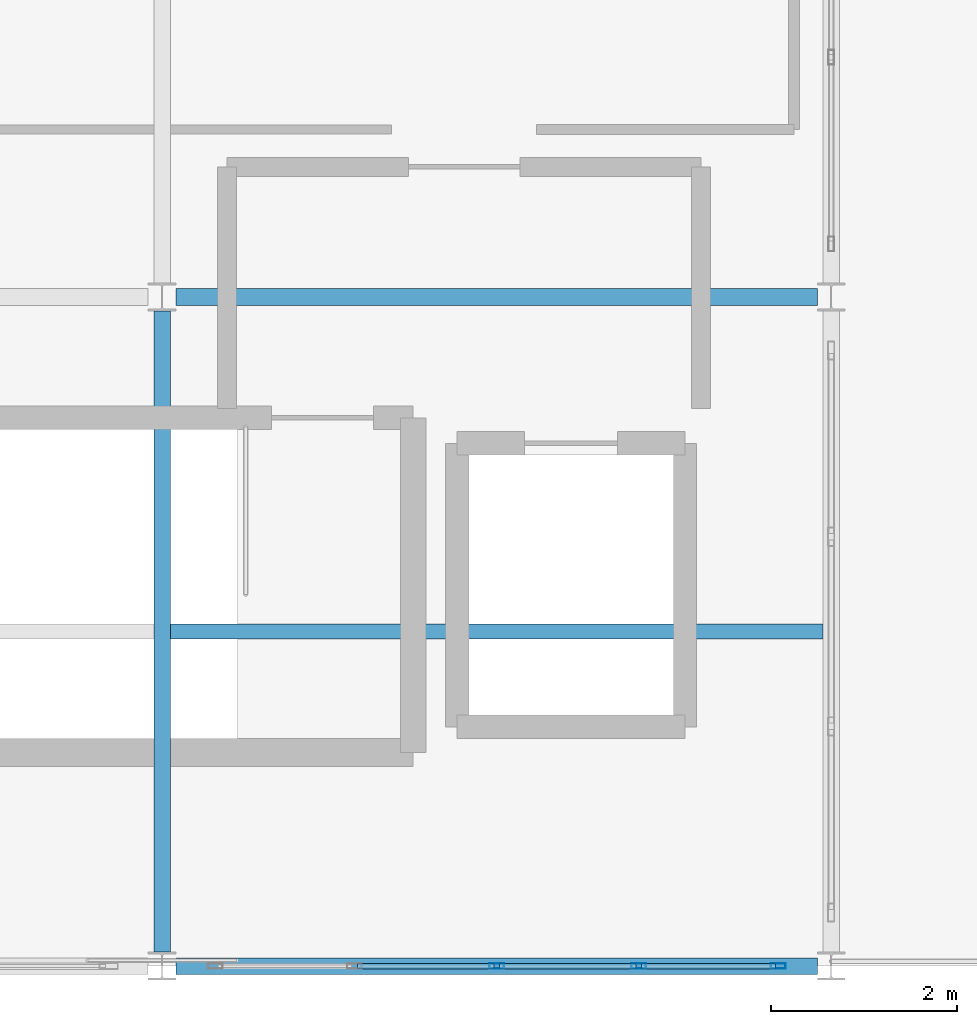
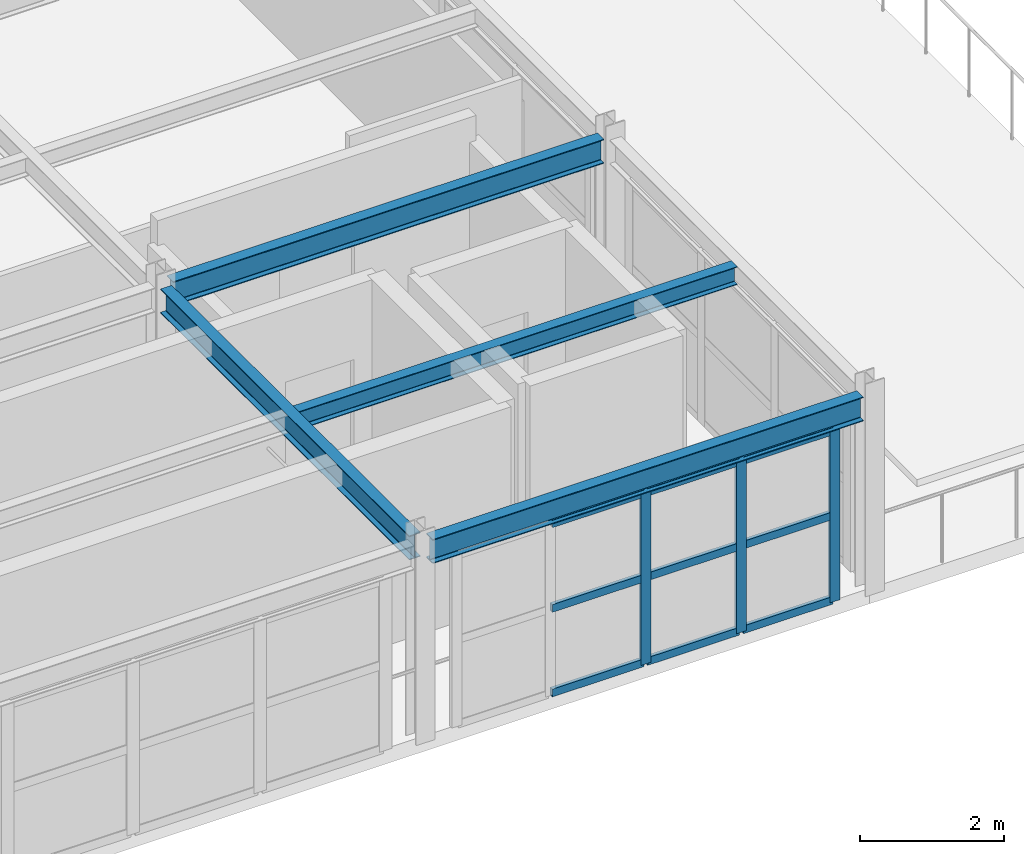
# One storey, part 42 of 73: 12 members, 4 beams, 1 element without a shape of its own.
"""IFC4 building model written with IfcOpenShell, lengths in metres."""

from ifc_helpers import new_model, si_unit, direction, frame, origin, origin_2d, place, context, subcontext, project, spatial, hollow_rectangle, i_section, extrude, material, layer, layer_set, material_profile, profile_set, type_object, element, aggregate, save


model = new_model("IFC4")

# Units and contexts
model_context = context("Model", 3, precision=1e-05, world=origin(), true_north=direction((0.0, 1.0)))
body_context = subcontext(model_context, "Body", "Model", "MODEL_VIEW")
ifc_project = project(units=[si_unit("LENGTHUNIT", "METRE"), si_unit("AREAUNIT", "SQUARE_METRE"), si_unit("VOLUMEUNIT", "CUBIC_METRE"), si_unit("PLANEANGLEUNIT", "RADIAN"), si_unit("MASSUNIT", "GRAM", prefix="KILO")], contexts=[model_context])

# Site, building, storey
site_placement = place(None, origin())
site = spatial("IfcSite", under=ifc_project, at=site_placement, CompositionType="ELEMENT")
building_placement = place(site_placement, origin())
building = spatial("IfcBuilding", under=site, at=building_placement, Name="Carrowvane Square Congress Hotel", CompositionType="ELEMENT")
storey_placement = place(building_placement, frame((0.0, 0.0, 19.199951171875)))
storey = spatial("IfcBuildingStorey", under=building, at=storey_placement, Name="L04", CompositionType="ELEMENT", Elevation=19.199951171875)

# Beams
ifc_material_1 = material(Name="Steel S355", Category="steel")
ifc_material_profile_1 = material_profile(ifc_material_1, i_section(OverallWidth=0.165771484375, OverallDepth=0.306640625, WebThickness=0.006591796875, FlangeThickness=0.01171875, FilletRadius=0.0087890625, at=origin_2d()), Name="UKB 305x165x46")
ifc_profile_set_1 = profile_set([ifc_material_profile_1], Name="Steel S355")
beam_type_1 = type_object("IfcBeamType", Name="BM-ST-UKB305", PredefinedType="JOIST", material=ifc_profile_set_1)
beam_placement = place(storey_placement, frame((170.08935546875, 59.39990234375, 3.19677734375), z_axis=(1.0, 0.0, 0.0), x_axis=(0.0, 1.0, 0.0)))
element("IfcBeam", 1, at=beam_placement, inside=storey, type_object=beam_type_1, Name="L05 secondary joist 23-24", PredefinedType="JOIST", context=body_context, shape_type="SweptSolid", body=[
    extrude(i_section(OverallWidth=0.165771484375, OverallDepth=0.306640625, WebThickness=0.006591796875, FlangeThickness=0.01171875, FilletRadius=0.0087890625, at=origin_2d()), origin(), (0.0, 0.0, 1.0), 7.021240234375),
])
ifc_material_2 = material(Name="Steel S355", Category="steel")
ifc_material_profile_2 = material_profile(ifc_material_2, i_section(OverallWidth=0.1787109375, OverallDepth=0.409423828125, WebThickness=0.0087890625, FlangeThickness=0.014404296875, FilletRadius=0.01025390625, at=origin_2d()), Name="UKB 406x178x67")
ifc_profile_set_2 = profile_set([ifc_material_profile_2], Name="Steel S355")
beam_type_2 = type_object("IfcBeamType", Name="BM-ST-UKB406", PredefinedType="BEAM", material=ifc_profile_set_2)
for number, where, z_axis, x_axis, name in (
    (2, (170.14990234375, 55.800048828125, 3.145263671875), (1.0, 0.0, 0.0), (0.0, 1.0, 0.0), "L05 girder H/23-24"),
    (3, (170.14990234375, 63.0, 3.145263671875), (1.0, 0.0, 0.0), (0.0, 1.0, 0.0), "L05 girder J/23-24"),
    (4, (170.0, 55.949951171875, 3.145263671875), (0.0, 1.0, 0.0), (-1.0, 0.0, 0.0), "L05 girder 23/H-J"),
):
    element("IfcBeam", number, at=place(storey_placement, frame(where, z_axis=z_axis, x_axis=x_axis)), inside=storey, type_object=beam_type_2, Name=name, PredefinedType="BEAM", context=body_context, shape_type="SweptSolid", body=[
        extrude(i_section(OverallWidth=0.1787109375, OverallDepth=0.409423828125, WebThickness=0.0087890625, FlangeThickness=0.014404296875, FilletRadius=0.01025390625, at=origin_2d()), origin(), (0.0, 0.0, 1.0), 6.900146484375),
    ])

# Curtain wall, members
ifc_material_3 = material(Name="Anodised aluminium", Category="aluminium")
ifc_layer = layer(ifc_material_3, 0.2099609375)
ifc_layer_set = layer_set([ifc_layer], Name="Anodised aluminium")
curtain_wall_type = type_object("IfcCurtainWallType", Name="CW-SYS-5", PredefinedType="NOTDEFINED", material=ifc_layer_set)
curtain_wall_placement = place(storey_placement, origin())
curtain_wall = element("IfcCurtainWall", 5, at=curtain_wall_placement, inside=storey, type_object=curtain_wall_type, Name="L04 unitised curtain wall 300", PredefinedType="NOTDEFINED")
ifc_material_4 = material(Name="Anodised aluminium", Category="aluminium")
ifc_material_profile_3 = material_profile(ifc_material_4, hollow_rectangle(XDim=0.06005859375, YDim=0.159912109375, WallThickness=0.00390625, at=origin_2d()), Name="CW-ML 60x160x4")
ifc_profile_set_3 = profile_set([ifc_material_profile_3], Name="Anodised aluminium")
member_type_1 = type_object("IfcMemberType", Name="CW-MUL-1", PredefinedType="MULLION", material=ifc_profile_set_3)
member_1_placement = place(storey_placement, frame((176.6298828125, 55.800048828125, 0.0), z_axis=(0.0, 0.0, 1.0), x_axis=(0.0, -1.0, 0.0)))
member_1 = element("IfcMember", 6, at=member_1_placement, type_object=member_type_1, Name="CW-5 mullion 1", PredefinedType="MULLION", context=body_context, shape_type="SweptSolid", body=[
    extrude(hollow_rectangle(XDim=0.06005859375, YDim=0.159912109375, WallThickness=0.00390625, at=origin_2d()), origin(), (0.0, 0.0, 1.0), 2.925537109375),
])
member_2_placement = place(storey_placement, frame((175.1298828125, 55.800048828125, 0.0), z_axis=(0.0, 0.0, 1.0), x_axis=(0.0, -1.0, 0.0)))
member_2 = element("IfcMember", 7, at=member_2_placement, type_object=member_type_1, Name="CW-5 mullion 2", PredefinedType="MULLION", context=body_context, shape_type="SweptSolid", body=[
    extrude(hollow_rectangle(XDim=0.06005859375, YDim=0.159912109375, WallThickness=0.00390625, at=origin_2d()), origin(), (0.0, 0.0, 1.0), 2.925537109375),
])
member_3_placement = place(storey_placement, frame((173.60009765625, 55.800048828125, 0.0), z_axis=(0.0, 0.0, 1.0), x_axis=(0.0, -1.0, 0.0)))
member_3 = element("IfcMember", 8, at=member_3_placement, type_object=member_type_1, Name="CW-5 mullion 3", PredefinedType="MULLION", context=body_context, shape_type="SweptSolid", body=[
    extrude(hollow_rectangle(XDim=0.06005859375, YDim=0.159912109375, WallThickness=0.00390625, at=origin_2d()), origin(), (0.0, 0.0, 1.0), 2.925537109375),
])
ifc_material_5 = material(Name="Anodised aluminium", Category="aluminium")
ifc_material_profile_4 = material_profile(ifc_material_5, hollow_rectangle(XDim=0.06005859375, YDim=0.1298828125, WallThickness=0.00390625, at=origin_2d()), Name="CW-TR 60x130x4")
ifc_profile_set_4 = profile_set([ifc_material_profile_4], Name="Anodised aluminium")
member_type_2 = type_object("IfcMemberType", Name="CW-TRN-1", PredefinedType="USERDEFINED", material=ifc_profile_set_4)
member_4_placement = place(storey_placement, frame((176.60009765625, 55.800048828125, 0.030029296875), z_axis=(-1.0, 0.0, 0.0), x_axis=(0.0, -1.0, 0.0)))
member_4 = element("IfcMember", 9, at=member_4_placement, type_object=member_type_2, Name="CW-5 transom 1.1", ObjectType="TRANSOM", PredefinedType="USERDEFINED", context=body_context, shape_type="SweptSolid", body=[
    extrude(hollow_rectangle(XDim=0.06005859375, YDim=0.1298828125, WallThickness=0.00390625, at=origin_2d()), origin(), (0.0, 0.0, 1.0), 1.440185546875),
])
member_5_placement = place(storey_placement, frame((176.60009765625, 55.800048828125, 1.462890625), z_axis=(-1.0, 0.0, 0.0), x_axis=(0.0, -1.0, 0.0)))
member_5 = element("IfcMember", 10, at=member_5_placement, type_object=member_type_2, Name="CW-5 transom 1.2", ObjectType="TRANSOM", PredefinedType="USERDEFINED", context=body_context, shape_type="SweptSolid", body=[
    extrude(hollow_rectangle(XDim=0.06005859375, YDim=0.1298828125, WallThickness=0.00390625, at=origin_2d()), origin(), (0.0, 0.0, 1.0), 1.440185546875),
])
member_6_placement = place(storey_placement, frame((176.60009765625, 55.800048828125, 2.895751953125), z_axis=(-1.0, 0.0, 0.0), x_axis=(0.0, -1.0, 0.0)))
member_6 = element("IfcMember", 11, at=member_6_placement, type_object=member_type_2, Name="CW-5 transom 1.3", ObjectType="TRANSOM", PredefinedType="USERDEFINED", context=body_context, shape_type="SweptSolid", body=[
    extrude(hollow_rectangle(XDim=0.06005859375, YDim=0.1298828125, WallThickness=0.00390625, at=origin_2d()), origin(), (0.0, 0.0, 1.0), 1.440185546875),
])
member_7_placement = place(storey_placement, frame((175.10009765625, 55.800048828125, 0.030029296875), z_axis=(-1.0, 0.0, 0.0), x_axis=(0.0, -1.0, 0.0)))
member_7 = element("IfcMember", 12, at=member_7_placement, type_object=member_type_2, Name="CW-5 transom 2.1", ObjectType="TRANSOM", PredefinedType="USERDEFINED", context=body_context, shape_type="SweptSolid", body=[
    extrude(hollow_rectangle(XDim=0.06005859375, YDim=0.1298828125, WallThickness=0.00390625, at=origin_2d()), origin(), (0.0, 0.0, 1.0), 1.47021484375),
])
member_8_placement = place(storey_placement, frame((175.10009765625, 55.800048828125, 1.462890625), z_axis=(-1.0, 0.0, 0.0), x_axis=(0.0, -1.0, 0.0)))
member_8 = element("IfcMember", 13, at=member_8_placement, type_object=member_type_2, Name="CW-5 transom 2.2", ObjectType="TRANSOM", PredefinedType="USERDEFINED", context=body_context, shape_type="SweptSolid", body=[
    extrude(hollow_rectangle(XDim=0.06005859375, YDim=0.1298828125, WallThickness=0.00390625, at=origin_2d()), origin(), (0.0, 0.0, 1.0), 1.47021484375),
])
member_9_placement = place(storey_placement, frame((175.10009765625, 55.800048828125, 2.895751953125), z_axis=(-1.0, 0.0, 0.0), x_axis=(0.0, -1.0, 0.0)))
member_9 = element("IfcMember", 14, at=member_9_placement, type_object=member_type_2, Name="CW-5 transom 2.3", ObjectType="TRANSOM", PredefinedType="USERDEFINED", context=body_context, shape_type="SweptSolid", body=[
    extrude(hollow_rectangle(XDim=0.06005859375, YDim=0.1298828125, WallThickness=0.00390625, at=origin_2d()), origin(), (0.0, 0.0, 1.0), 1.47021484375),
])
member_10_placement = place(storey_placement, frame((173.570068359375, 55.800048828125, 0.030029296875), z_axis=(-1.0, 0.0, 0.0), x_axis=(0.0, -1.0, 0.0)))
member_10 = element("IfcMember", 15, at=member_10_placement, type_object=member_type_2, Name="CW-5 transom 3.1", ObjectType="TRANSOM", PredefinedType="USERDEFINED", context=body_context, shape_type="SweptSolid", body=[
    extrude(hollow_rectangle(XDim=0.06005859375, YDim=0.1298828125, WallThickness=0.00390625, at=origin_2d()), origin(), (0.0, 0.0, 1.0), 1.469970703125),
])
member_11_placement = place(storey_placement, frame((173.570068359375, 55.800048828125, 1.462890625), z_axis=(-1.0, 0.0, 0.0), x_axis=(0.0, -1.0, 0.0)))
member_11 = element("IfcMember", 16, at=member_11_placement, type_object=member_type_2, Name="CW-5 transom 3.2", ObjectType="TRANSOM", PredefinedType="USERDEFINED", context=body_context, shape_type="SweptSolid", body=[
    extrude(hollow_rectangle(XDim=0.06005859375, YDim=0.1298828125, WallThickness=0.00390625, at=origin_2d()), origin(), (0.0, 0.0, 1.0), 1.469970703125),
])
member_12_placement = place(storey_placement, frame((173.570068359375, 55.800048828125, 2.895751953125), z_axis=(-1.0, 0.0, 0.0), x_axis=(0.0, -1.0, 0.0)))
member_12 = element("IfcMember", 17, at=member_12_placement, type_object=member_type_2, Name="CW-5 transom 3.3", ObjectType="TRANSOM", PredefinedType="USERDEFINED", context=body_context, shape_type="SweptSolid", body=[
    extrude(hollow_rectangle(XDim=0.06005859375, YDim=0.1298828125, WallThickness=0.00390625, at=origin_2d()), origin(), (0.0, 0.0, 1.0), 1.469970703125),
])
aggregate(curtain_wall, [member_1, member_2, member_3, member_4, member_5, member_6, member_7, member_8, member_9, member_10, member_11, member_12])

save(model, "model.ifc")
